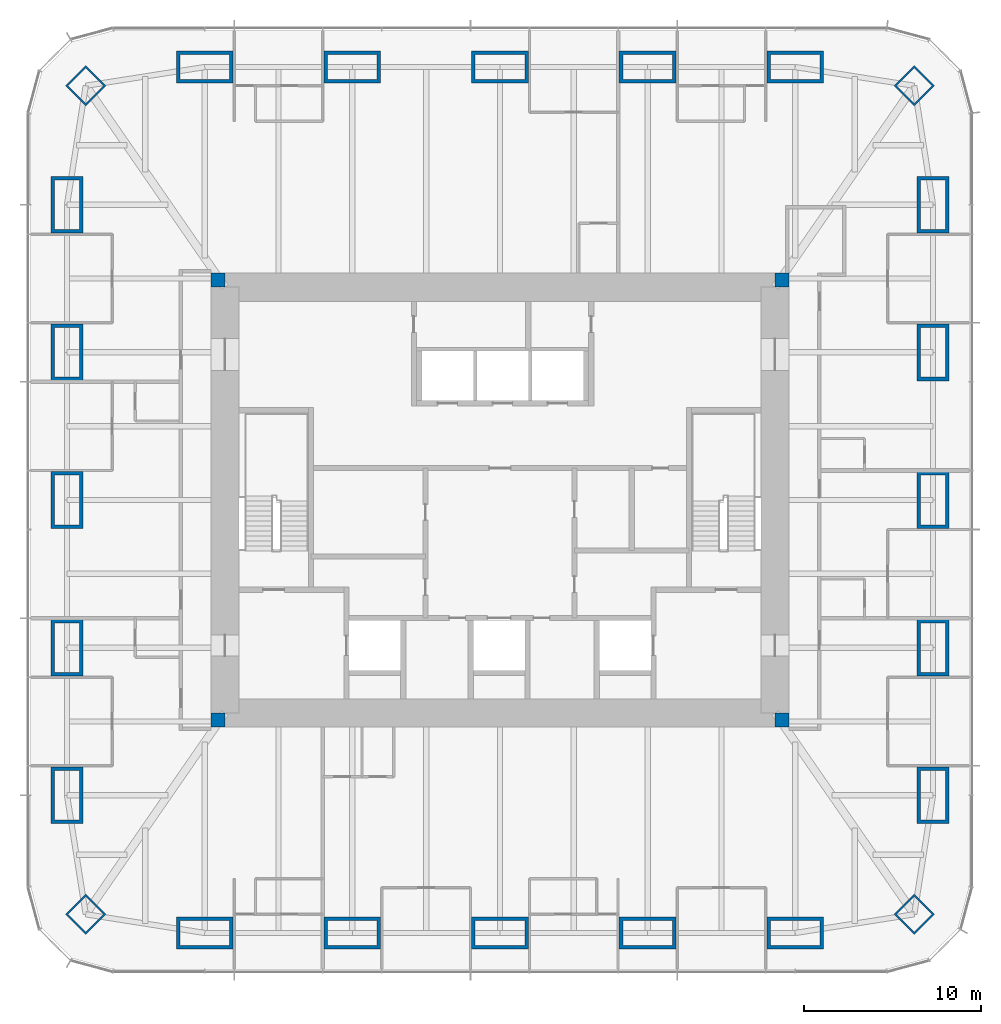
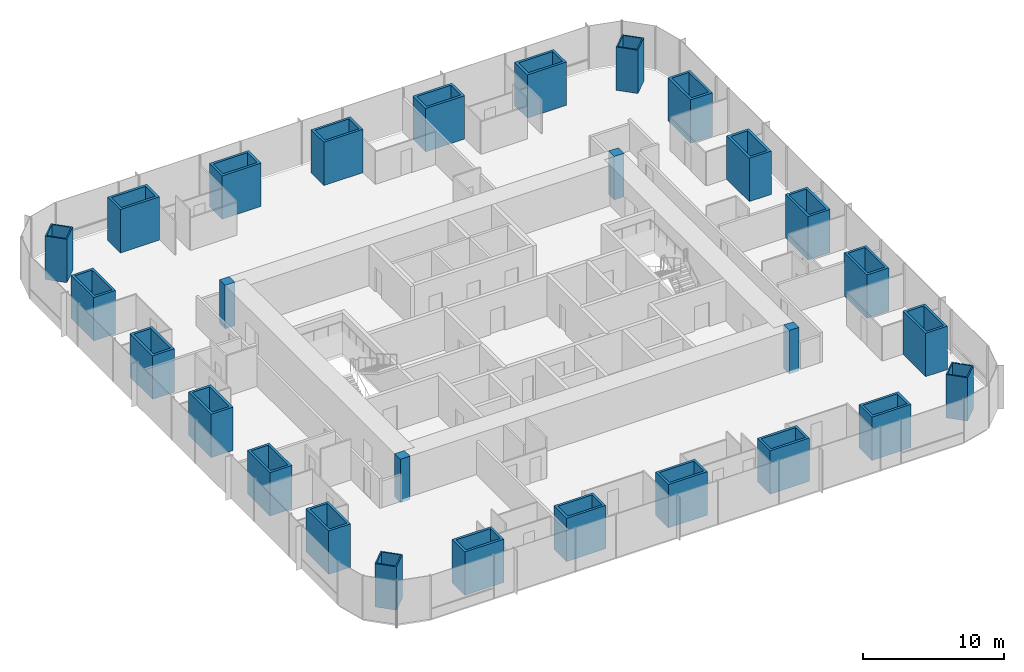
# One storey, part 1 of 12: 28 columns.
"""IFC4 building model written with IfcOpenShell, lengths in metres."""

from ifc_helpers import new_model, si_unit, direction, frame, origin, origin_2d, place, context, subcontext, project, spatial, rectangle, hollow_rectangle, extrude, material, material_profile, profile_set, type_object, element, save


model = new_model("IFC4")

# Units and contexts
model_context = context("Model", 3, precision=1e-05, world=origin(), true_north=direction((0.0, 1.0)))
body_context = subcontext(model_context, "Body", "Model", "MODEL_VIEW")
ifc_project = project(units=[si_unit("LENGTHUNIT", "METRE"), si_unit("AREAUNIT", "SQUARE_METRE"), si_unit("VOLUMEUNIT", "CUBIC_METRE"), si_unit("PLANEANGLEUNIT", "RADIAN"), si_unit("MASSUNIT", "GRAM", prefix="KILO")], contexts=[model_context])

# Site, building, storey
site_placement = place(None, origin())
site = spatial("IfcSite", under=ifc_project, at=site_placement, CompositionType="ELEMENT")
building_placement = place(site_placement, origin())
building = spatial("IfcBuilding", under=site, at=building_placement, Name="Khuree Lantern Residences", CompositionType="ELEMENT")
storey_placement = place(building_placement, frame((0.0, 0.0, 210.75)))
storey = spatial("IfcBuildingStorey", under=building, at=storey_placement, Name="L52", CompositionType="ELEMENT", Elevation=210.75)

# Columns
ifc_material_1 = material(Name="Steel S355 CFT welded box", Category="steel")
ifc_material_profile_1 = material_profile(ifc_material_1, hollow_rectangle(XDim=1.60009765625, YDim=1.60009765625, WallThickness=0.10009765625, at=origin_2d()), Name="WELDED BOX 1600X1600X100")
ifc_profile_set_1 = profile_set([ifc_material_profile_1], Name="Steel S355 CFT welded box")
column_type_1 = type_object("IfcColumnType", Name="CC1600 PERIMETER CORNER MEGA COLUMN WELDED BOX 1600X1600X100", PredefinedType="COLUMN", material=ifc_profile_set_1)
for number, where, z_axis, x_axis, name in (
    (1, (23.345703125, 23.345703125, 0.0), (0.0, 0.0, 1.0), (0.707106781187, -0.707106781187, 0.0), "Perimeter column NE"),
    (2, (23.345703125, -23.345703125, 0.0), (0.0, 0.0, 1.0), (0.707106781187, 0.707106781187, 0.0), "Perimeter column SE"),
    (3, (-23.345703125, -23.345703125, 0.0), (0.0, 0.0, 1.0), (0.707106781187, -0.707106781187, 0.0), "Perimeter column SW"),
    (4, (-23.345703125, 23.345703125, 0.0), (0.0, 0.0, 1.0), (0.707106781187, 0.707106781187, 0.0), "Perimeter column NW"),
):
    element("IfcColumn", number, at=place(storey_placement, frame(where, z_axis=z_axis, x_axis=x_axis)), inside=storey, type_object=column_type_1, Name=name, PredefinedType="COLUMN", context=body_context, shape_type="SweptSolid", body=[
        extrude(hollow_rectangle(XDim=1.60009765625, YDim=1.60009765625, WallThickness=0.10009765625, at=origin_2d()), origin(), (0.0, 0.0, 1.0), 3.75),
    ])
ifc_material_2 = material(Name="Concrete C50/60", Category="concrete")
ifc_material_profile_2 = material_profile(ifc_material_2, rectangle(XDim=0.800048828125, YDim=0.800048828125, at=origin_2d()), Name="RC 800X800")
ifc_profile_set_2 = profile_set([ifc_material_profile_2], Name="Concrete C50/60")
column_type_2 = type_object("IfcColumnType", Name="CP800-C50 CORE CORNER PIER C50 RC 800X800", PredefinedType="COLUMN", material=ifc_profile_set_2)
for number, where, z_axis, x_axis, name in (
    (5, (15.89990234375, 12.39990234375, -0.25), (0.0, 0.0, 1.0), (1.0, 0.0, 0.0), "Core corner pier NE"),
    (6, (-15.89990234375, 12.39990234375, -0.25), (0.0, 0.0, 1.0), (1.0, 0.0, 0.0), "Core corner pier NW"),
    (7, (-15.89990234375, -12.39990234375, -0.25), (0.0, 0.0, 1.0), (1.0, 0.0, 0.0), "Core corner pier SW"),
    (8, (15.89990234375, -12.39990234375, -0.25), (0.0, 0.0, 1.0), (1.0, 0.0, 0.0), "Core corner pier SE"),
):
    element("IfcColumn", number, at=place(storey_placement, frame(where, z_axis=z_axis, x_axis=x_axis)), inside=storey, type_object=column_type_2, Name=name, PredefinedType="COLUMN", context=body_context, shape_type="SweptSolid", body=[
        extrude(rectangle(XDim=0.800048828125, YDim=0.800048828125, at=origin_2d()), origin(), (0.0, 0.0, 1.0), 3.75),
    ])
ifc_material_profile_3 = material_profile(ifc_material_1, hollow_rectangle(XDim=3.199951171875, YDim=1.800048828125, WallThickness=0.199951171875, at=origin_2d()), Name="WELDED BOX 3200X1800X200")
ifc_profile_set_3 = profile_set([ifc_material_profile_3], Name="Steel S355 CFT welded box")
column_type_3 = type_object("IfcColumnType", Name="SC1 PERIMETER MEGA COLUMN WELDED BOX 3200X1800X200", PredefinedType="COLUMN", material=ifc_profile_set_3)
for number, where, z_axis, x_axis, name in (
    (9, (-16.639892578125, 24.39990234375, 0.0), (0.0, 0.0, 1.0), (1.0, 0.0, 0.0), "Perimeter column N1"),
    (10, (-8.320068359375, 24.39990234375, 0.0), (0.0, 0.0, 1.0), (1.0, 0.0, 0.0), "Perimeter column N2"),
    (11, (0.0, 24.39990234375, 0.0), (0.0, 0.0, 1.0), (1.0, 0.0, 0.0), "Perimeter column N3"),
    (12, (8.320068359375, 24.39990234375, 0.0), (0.0, 0.0, 1.0), (1.0, 0.0, 0.0), "Perimeter column N4"),
    (13, (16.639892578125, 24.39990234375, 0.0), (0.0, 0.0, 1.0), (1.0, 0.0, 0.0), "Perimeter column N5"),
    (14, (24.39990234375, 16.639892578125, 0.0), (0.0, 0.0, 1.0), (0.0, 1.0, 0.0), "Perimeter column E1"),
    (15, (24.39990234375, 8.320068359375, 0.0), (0.0, 0.0, 1.0), (0.0, 1.0, 0.0), "Perimeter column E2"),
    (16, (24.39990234375, 0.0, 0.0), (0.0, 0.0, 1.0), (0.0, 1.0, 0.0), "Perimeter column E3"),
    (17, (24.39990234375, -8.320068359375, 0.0), (0.0, 0.0, 1.0), (0.0, 1.0, 0.0), "Perimeter column E4"),
    (18, (24.39990234375, -16.639892578125, 0.0), (0.0, 0.0, 1.0), (0.0, 1.0, 0.0), "Perimeter column E5"),
    (19, (16.639892578125, -24.39990234375, 0.0), (0.0, 0.0, 1.0), (1.0, 0.0, 0.0), "Perimeter column S1"),
    (20, (8.320068359375, -24.39990234375, 0.0), (0.0, 0.0, 1.0), (1.0, 0.0, 0.0), "Perimeter column S2"),
    (21, (0.0, -24.39990234375, 0.0), (0.0, 0.0, 1.0), (1.0, 0.0, 0.0), "Perimeter column S3"),
    (22, (-8.320068359375, -24.39990234375, 0.0), (0.0, 0.0, 1.0), (1.0, 0.0, 0.0), "Perimeter column S4"),
    (23, (-16.639892578125, -24.39990234375, 0.0), (0.0, 0.0, 1.0), (1.0, 0.0, 0.0), "Perimeter column S5"),
    (24, (-24.39990234375, -16.639892578125, 0.0), (0.0, 0.0, 1.0), (0.0, 1.0, 0.0), "Perimeter column W1"),
    (25, (-24.39990234375, -8.320068359375, 0.0), (0.0, 0.0, 1.0), (0.0, 1.0, 0.0), "Perimeter column W2"),
    (26, (-24.39990234375, 0.0, 0.0), (0.0, 0.0, 1.0), (0.0, 1.0, 0.0), "Perimeter column W3"),
    (27, (-24.39990234375, 8.320068359375, 0.0), (0.0, 0.0, 1.0), (0.0, 1.0, 0.0), "Perimeter column W4"),
    (28, (-24.39990234375, 16.639892578125, 0.0), (0.0, 0.0, 1.0), (0.0, 1.0, 0.0), "Perimeter column W5"),
):
    element("IfcColumn", number, at=place(storey_placement, frame(where, z_axis=z_axis, x_axis=x_axis)), inside=storey, type_object=column_type_3, Name=name, PredefinedType="COLUMN", context=body_context, shape_type="SweptSolid", body=[
        extrude(hollow_rectangle(XDim=3.199951171875, YDim=1.800048828125, WallThickness=0.199951171875, at=origin_2d()), origin(), (0.0, 0.0, 1.0), 3.75),
    ])

save(model, "model.ifc")
